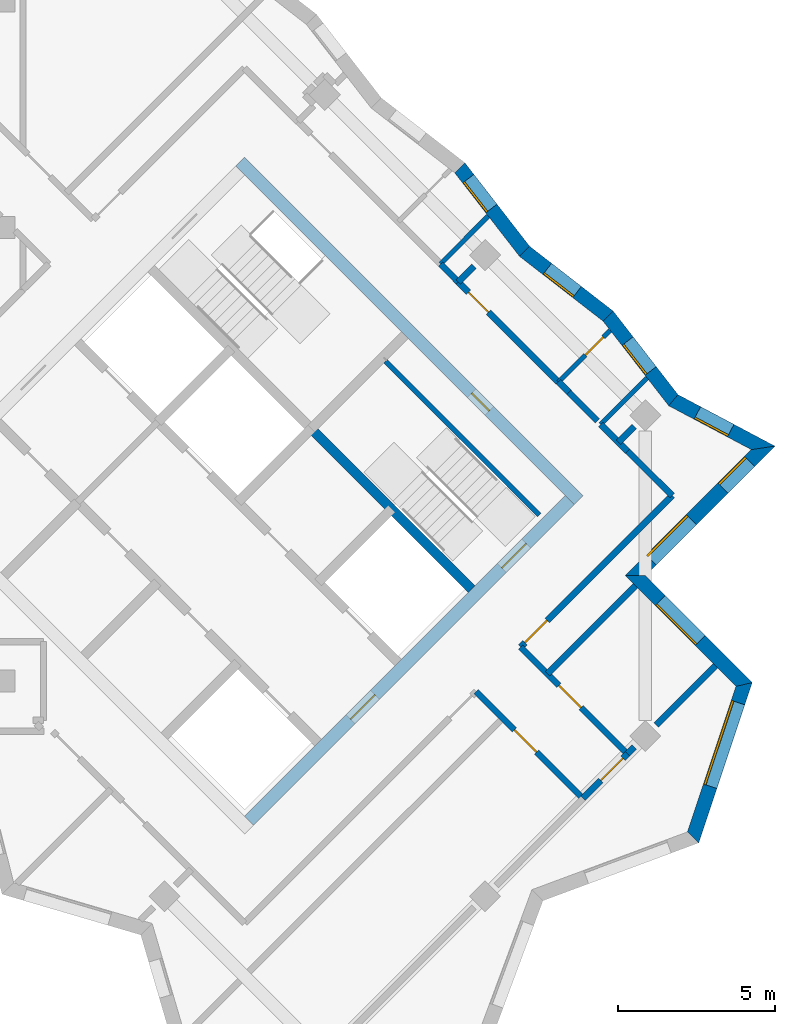
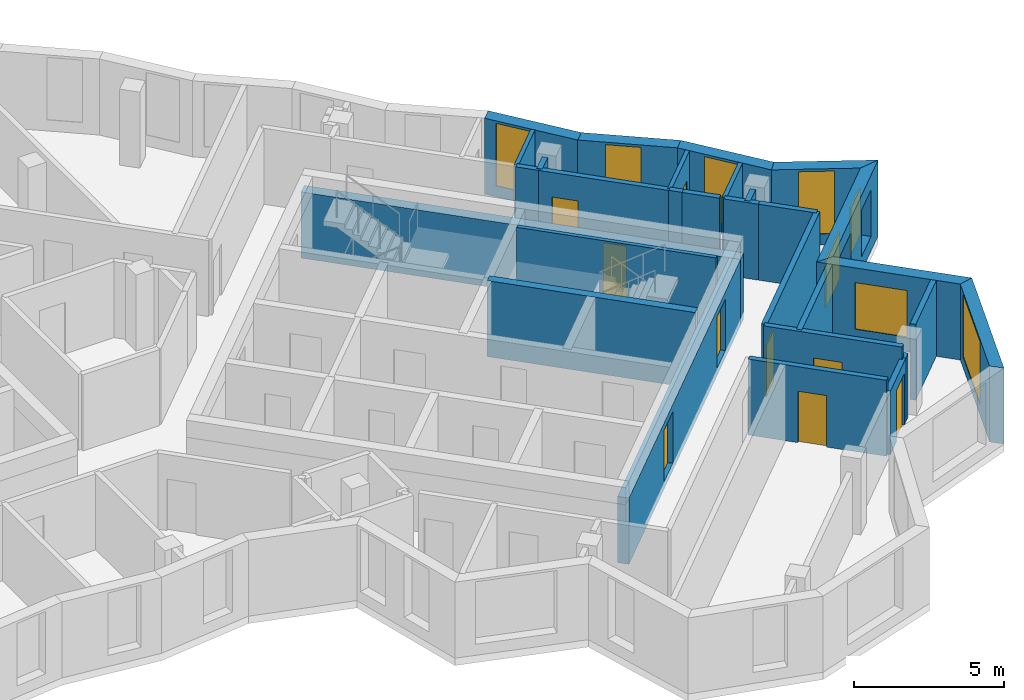
# One storey, part 7 of 12: 29 walls, 9 doors, 8 windows, 17 openings.
"""IFC4 building model written with IfcOpenShell, lengths in metres."""

from ifc_helpers import new_model, si_unit, direction, frame, frame_2d, origin, place, context, subcontext, project, spatial, polyline, rectangle, outline, extrude, material, layer, layer_set, type_object, element, fill, save


model = new_model("IFC4")

# Units and contexts
model_context = context("Model", 3, precision=1e-05, world=origin(), true_north=direction((0.0, 1.0)))
body_context = subcontext(model_context, "Body", "Model", "MODEL_VIEW")
ifc_project = project(units=[si_unit("LENGTHUNIT", "METRE"), si_unit("AREAUNIT", "SQUARE_METRE"), si_unit("VOLUMEUNIT", "CUBIC_METRE"), si_unit("PLANEANGLEUNIT", "RADIAN"), si_unit("MASSUNIT", "GRAM", prefix="KILO")], contexts=[model_context])

# Site, building, storey
site_placement = place(None, origin())
site = spatial("IfcSite", under=ifc_project, at=site_placement, CompositionType="ELEMENT")
building_placement = place(site_placement, origin())
building = spatial("IfcBuilding", under=site, at=building_placement, Name="Windrow Commons", CompositionType="ELEMENT")
storey_placement = place(building_placement, frame((0.0, 0.0, 257.4)))
storey = spatial("IfcBuildingStorey", under=building, at=storey_placement, Name="L70", CompositionType="ELEMENT", Elevation=257.4)

# Wall, opening, window
ifc_material_1 = material(Name="Brick masonry, red clay brick", Category="masonry")
ifc_layer_1 = layer(ifc_material_1, 0.45)
ifc_layer_set_1 = layer_set([ifc_layer_1], Name="Brick facade wall 450")
wall_type_1 = type_object("IfcWallType", Name="Brick facade wall 450", PredefinedType="SOLIDWALL", material=ifc_layer_set_1)
wall_1_placement = place(storey_placement, frame((101.0824, 38.2322, 0.0), z_axis=(0.0, 0.0, 1.0), x_axis=(0.316227766, 0.9486832981, 0.0)))
wall_1 = element("IfcWall", 1, at=wall_1_placement, inside=storey, type_object=wall_type_1, Name="Brick facade wall L70 4", PredefinedType="SOLIDWALL", context=body_context, shape_type="SweptSolid", body=[
    extrude(outline(polyline([(-0.1078, -0.225), (5.2588, -0.225), (4.9807, 0.225), (0.1078, 0.225), (-0.1078, -0.225)])), origin(), (0.0, 0.0, 1.0), 3.1),
])
opening_1_placement = place(wall_1_placement, frame((1.7112, 0.0, 0.45)))
opening_1 = element("IfcOpeningElement", 2, at=opening_1_placement, cuts=wall_1, Name="Opening W1V", PredefinedType="OPENING", context=body_context, shape_type="SweptSolid", body=[
    extrude(rectangle(XDim=2.8, YDim=2.55, at=frame_2d((1.4, 1.275))), frame((0.0, 0.235, 0.0), z_axis=(0.0, -1.0, 0.0), x_axis=(1.0, 0.0, 0.0)), (0.0, 0.0, 1.0), 0.47),
])
ifc_material_2 = material(Name="Clear float glass in anodised aluminium frame", Category="aluminium")
window_type_1 = type_object("IfcWindowType", Name="Window W1V bedroom 2800x2550", PartitioningType="SINGLE_PANEL", PredefinedType="WINDOW", material=ifc_material_2)
window_1_placement = place(opening_1_placement, origin())
window_1 = element("IfcWindow", 3, at=window_1_placement, inside=storey, type_object=window_type_1, Name="Window L70 4.1", OverallHeight=2.55, OverallWidth=2.8, PartitioningType="SINGLE_PANEL", PredefinedType="WINDOW", context=body_context, shape_type="SweptSolid", body=[
    extrude(rectangle(XDim=2.8, YDim=2.55, at=frame_2d((1.4, 1.275))), frame((0.0, 0.205, 0.0), z_axis=(0.0, -1.0, 0.0), x_axis=(1.0, 0.0, 0.0)), (0.0, 0.0, 1.0), 0.06),
])
fill(opening_1, window_1)

wall_2_placement = place(storey_placement, frame((102.7014, 43.0892, 0.0), z_axis=(0.0, 0.0, 1.0), x_axis=(-0.7070965479, 0.7071170144, 0.0)))
wall_2 = element("IfcWall", 4, at=wall_2_placement, inside=storey, type_object=wall_type_1, Name="Brick facade wall L70 5", PredefinedType="SOLIDWALL", context=body_context, shape_type="SweptSolid", body=[
    extrude(outline(polyline([(-0.1391, -0.225), (4.661, -0.225), (5.111, 0.225), (0.1391, 0.225), (-0.1391, -0.225)])), origin(), (0.0, 0.0, 1.0), 3.1),
])
opening_2_placement = place(wall_2_placement, frame((1.9735, 0.0, 0.6)))
opening_2 = element("IfcOpeningElement", 5, at=opening_2_placement, cuts=wall_2, Name="Opening W1L", PredefinedType="OPENING", context=body_context, shape_type="SweptSolid", body=[
    extrude(rectangle(XDim=1.8, YDim=1.9, at=frame_2d((0.9, 0.95))), frame((0.0, 0.235, 0.0), z_axis=(0.0, -1.0, 0.0), x_axis=(1.0, 0.0, 0.0)), (0.0, 0.0, 1.0), 0.47),
])
ifc_material_3 = material(Name="Clear float glass in anodised aluminium frame", Category="aluminium")
window_type_2 = type_object("IfcWindowType", Name="Window W1L bedroom 1800x1900", PartitioningType="SINGLE_PANEL", PredefinedType="WINDOW", material=ifc_material_3)
window_2_placement = place(opening_2_placement, origin())
window_2 = element("IfcWindow", 6, at=window_2_placement, inside=storey, type_object=window_type_2, Name="Window L70 5.1", OverallHeight=1.9, OverallWidth=1.8, PartitioningType="SINGLE_PANEL", PredefinedType="WINDOW", context=body_context, shape_type="SweptSolid", body=[
    extrude(rectangle(XDim=1.8, YDim=1.9, at=frame_2d((0.9, 0.95))), frame((0.0, 0.205, 0.0), z_axis=(0.0, -1.0, 0.0), x_axis=(1.0, 0.0, 0.0)), (0.0, 0.0, 1.0), 0.06),
])
fill(opening_2, window_2)

# Wall, openings, windows
wall_3_placement = place(storey_placement, frame((99.2465, 46.5442, 0.0), z_axis=(0.0, 0.0, 1.0), x_axis=(0.7071067812, 0.7071067812, 0.0)))
wall_3 = element("IfcWall", 7, at=wall_3_placement, inside=storey, type_object=wall_type_1, Name="Brick facade wall L70 6", PredefinedType="SOLIDWALL", context=body_context, shape_type="SweptSolid", body=[
    extrude(outline(polyline([(0.225, -0.225), (6.046, -0.225), (5.4374, 0.225), (-0.225, 0.225), (0.225, -0.225)])), origin(), (0.0, 0.0, 1.0), 3.1),
])
opening_3_placement = place(wall_3_placement, frame((0.7125, 0.0, 0.6)))
opening_3 = element("IfcOpeningElement", 8, at=opening_3_placement, cuts=wall_3, Name="Opening W1L", PredefinedType="OPENING", context=body_context, shape_type="SweptSolid", body=[
    extrude(rectangle(XDim=1.8, YDim=1.9, at=frame_2d((0.9, 0.95))), frame((0.0, 0.235, 0.0), z_axis=(0.0, -1.0, 0.0), x_axis=(1.0, 0.0, 0.0)), (0.0, 0.0, 1.0), 0.47),
])
opening_4_placement = place(wall_3_placement, frame((3.9312, 0.0, 0.6)))
opening_4 = element("IfcOpeningElement", 9, at=opening_4_placement, cuts=wall_3, Name="Opening W7G", PredefinedType="OPENING", context=body_context, shape_type="SweptSolid", body=[
    extrude(rectangle(XDim=1.2, YDim=1.9, at=frame_2d((0.6, 0.95))), frame((0.0, 0.235, 0.0), z_axis=(0.0, -1.0, 0.0), x_axis=(1.0, 0.0, 0.0)), (0.0, 0.0, 1.0), 0.47),
])
window_3_placement = place(opening_3_placement, origin())
window_3 = element("IfcWindow", 10, at=window_3_placement, inside=storey, type_object=window_type_2, Name="Window L70 6.1", OverallHeight=1.9, OverallWidth=1.8, PartitioningType="SINGLE_PANEL", PredefinedType="WINDOW", context=body_context, shape_type="SweptSolid", body=[
    extrude(rectangle(XDim=1.8, YDim=1.9, at=frame_2d((0.9, 0.95))), frame((0.0, 0.205, 0.0), z_axis=(0.0, -1.0, 0.0), x_axis=(1.0, 0.0, 0.0)), (0.0, 0.0, 1.0), 0.06),
])
fill(opening_3, window_3)
ifc_material_4 = material(Name="Clear float glass in anodised aluminium frame", Category="aluminium")
window_type_3 = type_object("IfcWindowType", Name="Window W7 notch 1200x1900", PartitioningType="SINGLE_PANEL", PredefinedType="WINDOW", material=ifc_material_4)
window_4_placement = place(opening_4_placement, origin())
window_4 = element("IfcWindow", 11, at=window_4_placement, inside=storey, type_object=window_type_3, Name="Window L70 6.2", OverallHeight=1.9, OverallWidth=1.2, PartitioningType="SINGLE_PANEL", PredefinedType="WINDOW", context=body_context, shape_type="SweptSolid", body=[
    extrude(rectangle(XDim=1.2, YDim=1.9, at=frame_2d((0.6, 0.95))), frame((0.0, 0.205, 0.0), z_axis=(0.0, -1.0, 0.0), x_axis=(1.0, 0.0, 0.0)), (0.0, 0.0, 1.0), 0.06),
])
fill(opening_4, window_4)

# Wall, opening, window
wall_4_placement = place(storey_placement, frame((103.3065, 50.6042, 0.0), z_axis=(0.0, 0.0, 1.0), x_axis=(-0.8832472045, 0.468907641, 0.0)))
wall_4 = element("IfcWall", 12, at=wall_4_placement, inside=storey, type_object=wall_type_1, Name="Brick facade wall L70 7", PredefinedType="SOLIDWALL", context=body_context, shape_type="SweptSolid", body=[
    extrude(outline(polyline([(-0.3043, -0.225), (3.1806, -0.225), (3.2773, 0.225), (0.3043, 0.225), (-0.3043, -0.225)])), origin(), (0.0, 0.0, 1.0), 3.1),
])
opening_5_placement = place(wall_4_placement, frame((1.1666, 0.0, 0.45)))
opening_5 = element("IfcOpeningElement", 13, at=opening_5_placement, cuts=wall_4, Name="Opening W7F", PredefinedType="OPENING", context=body_context, shape_type="SweptSolid", body=[
    extrude(rectangle(XDim=1.2, YDim=2.55, at=frame_2d((0.6, 1.275))), frame((0.0, 0.235, 0.0), z_axis=(0.0, -1.0, 0.0), x_axis=(1.0, 0.0, 0.0)), (0.0, 0.0, 1.0), 0.47),
])
ifc_material_5 = material(Name="Clear float glass in anodised aluminium frame", Category="aluminium")
window_type_4 = type_object("IfcWindowType", Name="Window W7 notch 1200x2550", PartitioningType="SINGLE_PANEL", PredefinedType="WINDOW", material=ifc_material_5)
window_5_placement = place(opening_5_placement, origin())
window_5 = element("IfcWindow", 14, at=window_5_placement, inside=storey, type_object=window_type_4, Name="Window L70 7.1", OverallHeight=2.55, OverallWidth=1.2, PartitioningType="SINGLE_PANEL", PredefinedType="WINDOW", context=body_context, shape_type="SweptSolid", body=[
    extrude(rectangle(XDim=1.2, YDim=2.55, at=frame_2d((0.6, 1.275))), frame((0.0, 0.205, 0.0), z_axis=(0.0, -1.0, 0.0), x_axis=(1.0, 0.0, 0.0)), (0.0, 0.0, 1.0), 0.06),
])
fill(opening_5, window_5)

wall_5_placement = place(storey_placement, frame((100.4545, 52.1183, 0.0), z_axis=(0.0, 0.0, 1.0), x_axis=(-0.6128744429, 0.7901803068, 0.0)))
wall_5 = element("IfcWall", 15, at=wall_5_placement, inside=storey, type_object=wall_type_1, Name="Brick facade wall L70 8", PredefinedType="SOLIDWALL", context=body_context, shape_type="SweptSolid", body=[
    extrude(outline(polyline([(0.0483, -0.225), (3.4068, -0.225), (3.3499, 0.225), (-0.0483, 0.225), (0.0483, -0.225)])), origin(), (0.0, 0.0, 1.0), 3.1),
])
opening_6_placement = place(wall_5_placement, frame((1.175, 0.0, 0.45)))
opening_6 = element("IfcOpeningElement", 16, at=opening_6_placement, cuts=wall_5, Name="Opening W7F", PredefinedType="OPENING", context=body_context, shape_type="SweptSolid", body=[
    extrude(rectangle(XDim=1.2, YDim=2.55, at=frame_2d((0.6, 1.275))), frame((0.0, 0.235, 0.0), z_axis=(0.0, -1.0, 0.0), x_axis=(1.0, 0.0, 0.0)), (0.0, 0.0, 1.0), 0.47),
])
window_6_placement = place(opening_6_placement, origin())
window_6 = element("IfcWindow", 17, at=window_6_placement, inside=storey, type_object=window_type_4, Name="Window L70 8.1", OverallHeight=2.55, OverallWidth=1.2, PartitioningType="SINGLE_PANEL", PredefinedType="WINDOW", context=body_context, shape_type="SweptSolid", body=[
    extrude(rectangle(XDim=1.2, YDim=2.55, at=frame_2d((0.6, 1.275))), frame((0.0, 0.205, 0.0), z_axis=(0.0, -1.0, 0.0), x_axis=(1.0, 0.0, 0.0)), (0.0, 0.0, 1.0), 0.06),
])
fill(opening_6, window_6)

wall_6_placement = place(storey_placement, frame((98.384, 54.7878, 0.0), z_axis=(0.0, 0.0, 1.0), x_axis=(-0.7901691849, 0.6128887822, 0.0)))
wall_6 = element("IfcWall", 18, at=wall_6_placement, inside=storey, type_object=wall_type_1, Name="Brick facade wall L70 9", PredefinedType="SOLIDWALL", context=body_context, shape_type="SweptSolid", body=[
    extrude(outline(polyline([(-0.0284, -0.225), (3.3301, -0.225), (3.3869, 0.225), (0.0284, 0.225), (-0.0284, -0.225)])), origin(), (0.0, 0.0, 1.0), 3.1),
])
opening_7_placement = place(wall_6_placement, frame((1.2494, 0.0, 0.45)))
opening_7 = element("IfcOpeningElement", 19, at=opening_7_placement, cuts=wall_6, Name="Opening W7F", PredefinedType="OPENING", context=body_context, shape_type="SweptSolid", body=[
    extrude(rectangle(XDim=1.2, YDim=2.55, at=frame_2d((0.6, 1.275))), frame((0.0, 0.235, 0.0), z_axis=(0.0, -1.0, 0.0), x_axis=(1.0, 0.0, 0.0)), (0.0, 0.0, 1.0), 0.47),
])
window_7_placement = place(opening_7_placement, origin())
window_7 = element("IfcWindow", 20, at=window_7_placement, inside=storey, type_object=window_type_4, Name="Window L70 9.1", OverallHeight=2.55, OverallWidth=1.2, PartitioningType="SINGLE_PANEL", PredefinedType="WINDOW", context=body_context, shape_type="SweptSolid", body=[
    extrude(rectangle(XDim=1.2, YDim=2.55, at=frame_2d((0.6, 1.275))), frame((0.0, 0.205, 0.0), z_axis=(0.0, -1.0, 0.0), x_axis=(1.0, 0.0, 0.0)), (0.0, 0.0, 1.0), 0.06),
])
fill(opening_7, window_7)

wall_7_placement = place(storey_placement, frame((95.7302, 56.8462, 0.0), z_axis=(0.0, 0.0, 1.0), x_axis=(-0.612903202, 0.790158, 0.0)))
wall_7 = element("IfcWall", 21, at=wall_7_placement, inside=storey, type_object=wall_type_1, Name="Brick facade wall L70 10", PredefinedType="SOLIDWALL", context=body_context, shape_type="SweptSolid", body=[
    extrude(outline(polyline([(0.0284, -0.225), (3.3869, -0.225), (3.3301, 0.225), (-0.0284, 0.225), (0.0284, -0.225)])), origin(), (0.0, 0.0, 1.0), 3.1),
])
opening_8_placement = place(wall_7_placement, frame((1.7202, 0.0, 0.45)))
opening_8 = element("IfcOpeningElement", 22, at=opening_8_placement, cuts=wall_7, Name="Opening W7F", PredefinedType="OPENING", context=body_context, shape_type="SweptSolid", body=[
    extrude(rectangle(XDim=1.2, YDim=2.55, at=frame_2d((0.6, 1.275))), frame((0.0, 0.235, 0.0), z_axis=(0.0, -1.0, 0.0), x_axis=(1.0, 0.0, 0.0)), (0.0, 0.0, 1.0), 0.47),
])
window_8_placement = place(opening_8_placement, origin())
window_8 = element("IfcWindow", 23, at=window_8_placement, inside=storey, type_object=window_type_4, Name="Window L70 10.1", OverallHeight=2.55, OverallWidth=1.2, PartitioningType="SINGLE_PANEL", PredefinedType="WINDOW", context=body_context, shape_type="SweptSolid", body=[
    extrude(rectangle(XDim=1.2, YDim=2.55, at=frame_2d((0.6, 1.275))), frame((0.0, 0.205, 0.0), z_axis=(0.0, -1.0, 0.0), x_axis=(1.0, 0.0, 0.0)), (0.0, 0.0, 1.0), 0.06),
])
fill(opening_8, window_8)

# Wall, opening, door
ifc_material_6 = material(Name="Blockwork partition", Category="masonry")
ifc_layer_2 = layer(ifc_material_6, 0.2)
ifc_layer_set_2 = layer_set([ifc_layer_2], Name="IW-CORRIDOR-200")
wall_type_2 = type_object("IfcWallType", Name="IW-CORRIDOR-200", PredefinedType="PARTITIONING", material=ifc_layer_set_2)
wall_8_placement = place(storey_placement, frame((95.6049, 44.2831, 0.0), z_axis=(0.0, 0.0, 1.0), x_axis=(0.7071067812, 0.7071067812, 0.0)))
wall_8 = element("IfcWall", 24, at=wall_8_placement, inside=storey, type_object=wall_type_2, Name="W-L70-W011", PredefinedType="PARTITIONING", context=body_context, shape_type="SweptSolid", body=[
    extrude(rectangle(XDim=6.7995, YDim=0.2, at=frame_2d((3.3998, 0.0))), origin(), (0.0, 0.0, 1.0), 3.1),
])
opening_9_placement = place(wall_8_placement, frame((0.1925, 0.0, 0.0)))
opening_9 = element("IfcOpeningElement", 25, at=opening_9_placement, cuts=wall_8, Name="Opening D310F", PredefinedType="OPENING", context=body_context, shape_type="SweptSolid", body=[
    extrude(rectangle(XDim=1.0, YDim=2.1, at=frame_2d((0.5, 1.05))), frame((0.0, 0.11, 0.0), z_axis=(0.0, -1.0, 0.0), x_axis=(1.0, 0.0, 0.0)), (0.0, 0.0, 1.0), 0.22),
])
ifc_material_7 = material(Name="Timber door leaf", Category="wood")
door_type_1 = type_object("IfcDoorType", Name="DT-AMENITY-1000", OperationType="SINGLE_SWING_LEFT", PredefinedType="DOOR", material=ifc_material_7)
door_1_placement = place(opening_9_placement, origin())
door_1 = element("IfcDoor", 26, at=door_1_placement, inside=storey, type_object=door_type_1, Name="D-L70-D019", OperationType="SINGLE_SWING_LEFT", OverallHeight=2.1, OverallWidth=1.0, PredefinedType="DOOR", context=body_context, shape_type="SweptSolid", body=[
    extrude(rectangle(XDim=1.0, YDim=2.1, at=frame_2d((0.5, 1.05))), frame((0.0, 0.025, 0.0), z_axis=(0.0, -1.0, 0.0), x_axis=(1.0, 0.0, 0.0)), (0.0, 0.0, 1.0), 0.05),
])
fill(opening_9, door_1)

wall_9_placement = place(storey_placement, frame((95.6029, 44.2769, 0.0), z_axis=(0.0, 0.0, 1.0), x_axis=(0.7071067812, -0.7071067812, 0.0)))
wall_9 = element("IfcWall", 27, at=wall_9_placement, inside=storey, type_object=wall_type_2, Name="W-L70-W020", PredefinedType="PARTITIONING", context=body_context, shape_type="SweptSolid", body=[
    extrude(rectangle(XDim=4.797, YDim=0.2, at=frame_2d((2.3985, 0.0))), origin(), (0.0, 0.0, 1.0), 3.1),
])
opening_10_placement = place(wall_9_placement, frame((1.7232, 0.0, 0.0)))
opening_10 = element("IfcOpeningElement", 28, at=opening_10_placement, cuts=wall_9, Name="Opening D310F", PredefinedType="OPENING", context=body_context, shape_type="SweptSolid", body=[
    extrude(rectangle(XDim=1.0, YDim=2.1, at=frame_2d((0.5, 1.05))), frame((0.0, 0.11, 0.0), z_axis=(0.0, -1.0, 0.0), x_axis=(1.0, 0.0, 0.0)), (0.0, 0.0, 1.0), 0.22),
])
door_2_placement = place(opening_10_placement, origin())
door_2 = element("IfcDoor", 29, at=door_2_placement, inside=storey, type_object=door_type_1, Name="D-L70-D029", OperationType="SINGLE_SWING_RIGHT", OverallHeight=2.1, OverallWidth=1.0, PredefinedType="DOOR", context=body_context, shape_type="SweptSolid", body=[
    extrude(rectangle(XDim=1.0, YDim=2.1, at=frame_2d((0.5, 1.05))), frame((0.0, 0.025, 0.0), z_axis=(0.0, -1.0, 0.0), x_axis=(1.0, 0.0, 0.0)), (0.0, 0.0, 1.0), 0.05),
])
fill(opening_10, door_2)

wall_10_placement = place(storey_placement, frame((94.1887, 42.8627, 0.0), z_axis=(0.0, 0.0, 1.0), x_axis=(0.7071067812, -0.7071067812, 0.0)))
wall_10 = element("IfcWall", 30, at=wall_10_placement, inside=storey, type_object=wall_type_2, Name="W-L70-W021", PredefinedType="PARTITIONING", context=body_context, shape_type="SweptSolid", body=[
    extrude(rectangle(XDim=4.797, YDim=0.2, at=frame_2d((2.3985, 0.0))), origin(), (0.0, 0.0, 1.0), 3.1),
])
opening_11_placement = place(wall_10_placement, frame((1.7232, 0.0, 0.0)))
opening_11 = element("IfcOpeningElement", 31, at=opening_11_placement, cuts=wall_10, Name="Opening D310F", PredefinedType="OPENING", context=body_context, shape_type="SweptSolid", body=[
    extrude(rectangle(XDim=1.0, YDim=2.1, at=frame_2d((0.5, 1.05))), frame((0.0, 0.11, 0.0), z_axis=(0.0, -1.0, 0.0), x_axis=(1.0, 0.0, 0.0)), (0.0, 0.0, 1.0), 0.22),
])
door_3_placement = place(opening_11_placement, origin())
door_3 = element("IfcDoor", 32, at=door_3_placement, inside=storey, type_object=door_type_1, Name="D-L70-D028", OperationType="SINGLE_SWING_LEFT", OverallHeight=2.1, OverallWidth=1.0, PredefinedType="DOOR", context=body_context, shape_type="SweptSolid", body=[
    extrude(rectangle(XDim=1.0, YDim=2.1, at=frame_2d((0.5, 1.05))), frame((0.0, 0.025, 0.0), z_axis=(0.0, -1.0, 0.0), x_axis=(1.0, 0.0, 0.0)), (0.0, 0.0, 1.0), 0.05),
])
fill(opening_11, door_3)

wall_11_placement = place(storey_placement, frame((93.6213, 55.8753, 0.0), z_axis=(0.0, 0.0, 1.0), x_axis=(0.7071067812, -0.7071067812, 0.0)))
wall_11 = element("IfcWall", 33, at=wall_11_placement, inside=storey, type_object=wall_type_2, Name="W-L70-W023", PredefinedType="PARTITIONING", context=body_context, shape_type="SweptSolid", body=[
    extrude(rectangle(XDim=4.5, YDim=0.2, at=frame_2d((2.25, 0.0))), origin(), (0.0, 0.0, 1.0), 3.1),
])
opening_12_placement = place(wall_11_placement, frame((0.4648, 0.0, 0.0)))
opening_12 = element("IfcOpeningElement", 34, at=opening_12_placement, cuts=wall_11, Name="Opening D109S", PredefinedType="OPENING", context=body_context, shape_type="SweptSolid", body=[
    extrude(rectangle(XDim=0.9, YDim=2.1, at=frame_2d((0.45, 1.05))), frame((0.0, 0.11, 0.0), z_axis=(0.0, -1.0, 0.0), x_axis=(1.0, 0.0, 0.0)), (0.0, 0.0, 1.0), 0.22),
])
ifc_material_8 = material(Name="Timber door leaf", Category="wood")
door_type_2 = type_object("IfcDoorType", Name="DT-BEDROOM-900", OperationType="SINGLE_SWING_LEFT", PredefinedType="DOOR", material=ifc_material_8)
door_4_placement = place(opening_12_placement, origin())
door_4 = element("IfcDoor", 35, at=door_4_placement, inside=storey, type_object=door_type_2, Name="D-L70-D023", OperationType="SINGLE_SWING_LEFT", OverallHeight=2.1, OverallWidth=0.9, PredefinedType="DOOR", context=body_context, shape_type="SweptSolid", body=[
    extrude(rectangle(XDim=0.9, YDim=2.1, at=frame_2d((0.45, 1.05))), frame((0.0, 0.025, 0.0), z_axis=(0.0, -1.0, 0.0), x_axis=(1.0, 0.0, 0.0)), (0.0, 0.0, 1.0), 0.05),
])
fill(opening_12, door_4)

# Wall
wall_12_placement = place(storey_placement, frame((98.9983, 50.5043, 0.0), z_axis=(0.0, 0.0, 1.0), x_axis=(0.7076063266, -0.7066068826, 0.0)))
element("IfcWall", 36, at=wall_12_placement, inside=storey, type_object=wall_type_2, Name="W-L70-W065", PredefinedType="PARTITIONING", context=body_context, shape_type="SweptSolid", body=[
    extrude(rectangle(XDim=2.0011, YDim=0.2, at=frame_2d((1.0006, 0.0))), origin(), (0.0, 0.0, 1.0), 3.1),
])

# Wall, opening, door
wall_13_placement = place(storey_placement, frame((97.584, 39.474, 0.0), z_axis=(0.0, 0.0, 1.0), x_axis=(0.7071067812, 0.7071067812, 0.0)))
wall_13 = element("IfcWall", 37, at=wall_13_placement, inside=storey, type_object=wall_type_2, Name="W-L70-W066", PredefinedType="PARTITIONING", context=body_context, shape_type="SweptSolid", body=[
    extrude(rectangle(XDim=1.9997, YDim=0.2, at=frame_2d((0.9999, 0.0))), origin(), (0.0, 0.0, 1.0), 2.6),
])
opening_13_placement = place(wall_13_placement, frame((0.8028, 0.0, 0.0)))
opening_13 = element("IfcOpeningElement", 38, at=opening_13_placement, cuts=wall_13, Name="Opening D310F", PredefinedType="OPENING", context=body_context, shape_type="SweptSolid", body=[
    extrude(rectangle(XDim=1.0, YDim=2.1, at=frame_2d((0.5, 1.05))), frame((0.0, 0.11, 0.0), z_axis=(0.0, -1.0, 0.0), x_axis=(1.0, 0.0, 0.0)), (0.0, 0.0, 1.0), 0.22),
])
door_5_placement = place(opening_13_placement, origin())
door_5 = element("IfcDoor", 39, at=door_5_placement, inside=storey, type_object=door_type_1, Name="D-L70-D030", OperationType="SINGLE_SWING_RIGHT", OverallHeight=2.1, OverallWidth=1.0, PredefinedType="DOOR", context=body_context, shape_type="SweptSolid", body=[
    extrude(rectangle(XDim=1.0, YDim=2.1, at=frame_2d((0.5, 1.05))), frame((0.0, 0.025, 0.0), z_axis=(0.0, -1.0, 0.0), x_axis=(1.0, 0.0, 0.0)), (0.0, 0.0, 1.0), 0.05),
])
fill(opening_13, door_5)

# Walls
wall_14_placement = place(storey_placement, frame((97.134, 52.37, 0.0), z_axis=(0.0, 0.0, 1.0), x_axis=(0.7063301682, -0.7078825422, 0.0)))
element("IfcWall", 40, at=wall_14_placement, inside=storey, type_object=wall_type_2, Name="W-L70-W074", PredefinedType="PARTITIONING", context=body_context, shape_type="SweptSolid", body=[
    extrude(rectangle(XDim=1.2883, YDim=0.2, at=frame_2d((0.6442, 0.0))), origin(), (0.0, 0.0, 1.0), 3.1),
])
wall_15_placement = place(storey_placement, frame((98.1473, 51.3493, 0.0), z_axis=(0.0, 0.0, 1.0), x_axis=(0.7071067812, -0.7071067812, 0.0)))
element("IfcWall", 41, at=wall_15_placement, inside=storey, type_object=wall_type_2, Name="W-L70-W075", PredefinedType="PARTITIONING", context=body_context, shape_type="SweptSolid", body=[
    extrude(rectangle(XDim=1.1993, YDim=0.2, at=frame_2d((0.5997, 0.0))), origin(), (0.0, 0.0, 1.0), 3.1),
])
wall_16_placement = place(storey_placement, frame((93.0593, 56.4433, 0.0), z_axis=(0.0, 0.0, 1.0), x_axis=(0.7058541592, -0.7083571881, 0.0)))
element("IfcWall", 42, at=wall_16_placement, inside=storey, type_object=wall_type_2, Name="W-L70-W079", PredefinedType="PARTITIONING", context=body_context, shape_type="SweptSolid", body=[
    extrude(rectangle(XDim=0.799, YDim=0.2, at=frame_2d((0.3995, 0.0))), origin(), (0.0, 0.0, 1.0), 3.1),
])
wall_17_placement = place(storey_placement, frame((96.8074, 52.6974, 0.0), z_axis=(0.0, 0.0, 1.0), x_axis=(0.7092658707, -0.7049410788, 0.0)))
element("IfcWall", 43, at=wall_17_placement, inside=storey, type_object=wall_type_2, Name="W-L70-W094", PredefinedType="PARTITIONING", context=body_context, shape_type="SweptSolid", body=[
    extrude(rectangle(XDim=0.4624, YDim=0.2, at=frame_2d((0.2312, 0.0))), origin(), (0.0, 0.0, 1.0), 3.1),
])

# Wall, opening, door
ifc_material_9 = material(Name="Blockwork partition", Category="masonry")
ifc_layer_3 = layer(ifc_material_9, 0.15)
ifc_layer_set_3 = layer_set([ifc_layer_3], Name="IW-ENSUITE-150")
wall_type_3 = type_object("IfcWallType", Name="IW-ENSUITE-150", PredefinedType="PARTITIONING", material=ifc_layer_set_3)
wall_18_placement = place(storey_placement, frame((96.8057, 52.6963, 0.0), z_axis=(0.0, 0.0, 1.0), x_axis=(0.7071067812, 0.7071067812, 0.0)))
wall_18 = element("IfcWall", 44, at=wall_18_placement, inside=storey, type_object=wall_type_3, Name="W-L70-W057", PredefinedType="PARTITIONING", context=body_context, shape_type="SweptSolid", body=[
    extrude(rectangle(XDim=2.3223, YDim=0.15, at=frame_2d((1.1611, 0.0))), origin(), (0.0, 0.0, 1.0), 3.1),
])
opening_14_placement = place(wall_18_placement, frame((1.2118, 0.0, 0.0)))
opening_14 = element("IfcOpeningElement", 45, at=opening_14_placement, cuts=wall_18, Name="Opening D208N", PredefinedType="OPENING", context=body_context, shape_type="SweptSolid", body=[
    extrude(rectangle(XDim=0.8, YDim=2.1, at=frame_2d((0.4, 1.05))), frame((0.0, 0.085, 0.0), z_axis=(0.0, -1.0, 0.0), x_axis=(1.0, 0.0, 0.0)), (0.0, 0.0, 1.0), 0.17),
])
ifc_material_10 = material(Name="Timber door leaf", Category="wood")
door_type_3 = type_object("IfcDoorType", Name="DT-ENSUITE-800", OperationType="SINGLE_SWING_LEFT", PredefinedType="DOOR", material=ifc_material_10)
door_6_placement = place(opening_14_placement, origin())
door_6 = element("IfcDoor", 46, at=door_6_placement, inside=storey, type_object=door_type_3, Name="D-L70-D024", OperationType="SINGLE_SWING_RIGHT", OverallHeight=2.1, OverallWidth=0.8, PredefinedType="DOOR", context=body_context, shape_type="SweptSolid", body=[
    extrude(rectangle(XDim=0.8, YDim=2.1, at=frame_2d((0.4, 1.05))), frame((0.0, 0.025, 0.0), z_axis=(0.0, -1.0, 0.0), x_axis=(1.0, 0.0, 0.0)), (0.0, 0.0, 1.0), 0.05),
])
fill(opening_14, door_6)

# Walls
wall_19_placement = place(storey_placement, frame((93.0574, 56.4466, 0.0), z_axis=(0.0, 0.0, 1.0), x_axis=(0.7066180059, 0.7075952188, 0.0)))
element("IfcWall", 47, at=wall_19_placement, inside=storey, type_object=wall_type_3, Name="W-L70-W060", PredefinedType="PARTITIONING", context=body_context, shape_type="SweptSolid", body=[
    extrude(rectangle(XDim=2.149, YDim=0.15, at=frame_2d((1.0745, 0.0))), origin(), (0.0, 0.0, 1.0), 3.1),
])
wall_20_placement = place(storey_placement, frame((98.1492, 51.3528, 0.0), z_axis=(0.0, 0.0, 1.0), x_axis=(0.7070827679, 0.7071307936, 0.0)))
element("IfcWall", 48, at=wall_20_placement, inside=storey, type_object=wall_type_3, Name="W-L70-W064", PredefinedType="PARTITIONING", context=body_context, shape_type="SweptSolid", body=[
    extrude(rectangle(XDim=2.0822, YDim=0.15, at=frame_2d((1.0411, 0.0))), origin(), (0.0, 0.0, 1.0), 3.1),
])
ifc_material_11 = material(Name="Blockwork partition", Category="masonry")
ifc_layer_4 = layer(ifc_material_11, 0.2)
ifc_layer_set_4 = layer_set([ifc_layer_4], Name="IW-PARTY-200")
wall_type_4 = type_object("IfcWallType", Name="IW-PARTY-200", PredefinedType="PARTITIONING", material=ifc_layer_set_4)
wall_21_placement = place(storey_placement, frame((96.4552, 43.4308, 0.0), z_axis=(0.0, 0.0, 1.0), x_axis=(0.7068409254, 0.707372537, 0.0)))
element("IfcWall", 49, at=wall_21_placement, inside=storey, type_object=wall_type_4, Name="W-L70-W033", PredefinedType="PARTITIONING", context=body_context, shape_type="SweptSolid", body=[
    extrude(rectangle(XDim=3.9503, YDim=0.2, at=frame_2d((1.9751, 0.0))), origin(), (0.0, 0.0, 1.0), 3.1),
])
wall_22_placement = place(storey_placement, frame((99.9105, 41.8075, 0.0), z_axis=(0.0, 0.0, 1.0), x_axis=(0.7075021757, 0.7067111654, 0.0)))
element("IfcWall", 50, at=wall_22_placement, inside=storey, type_object=wall_type_4, Name="W-L70-W045", PredefinedType="PARTITIONING", context=body_context, shape_type="SweptSolid", body=[
    extrude(rectangle(XDim=2.6548, YDim=0.2, at=frame_2d((1.3274, 0.0))), origin(), (0.0, 0.0, 1.0), 3.1),
])
for number, where, z_axis, x_axis, name in (
    (51, (93.625, 55.877, 0.0), (0.0, 0.0, 1.0), (0.7085224061, 0.7056883165, 0.0), "W-L70-W081"),
    (52, (98.7136, 50.7884, 0.0), (0.0, 0.0, 1.0), (0.7056883165, 0.7085224061, 0.0), "W-L70-W082"),
):
    element("IfcWall", number, at=place(storey_placement, frame(where, z_axis=z_axis, x_axis=x_axis)), inside=storey, type_object=wall_type_4, Name=name, PredefinedType="PARTITIONING", context=body_context, shape_type="SweptSolid", body=[
        extrude(rectangle(XDim=0.7057, YDim=0.2, at=frame_2d((0.3528, 0.0))), origin(), (0.0, 0.0, 1.0), 3.1),
    ])
wall_23_placement = place(storey_placement, frame((98.998, 40.888, 0.0), z_axis=(0.0, 0.0, 1.0), x_axis=(0.7071067812, 0.7071067812, 0.0)))
element("IfcWall", 53, at=wall_23_placement, inside=storey, type_object=wall_type_4, Name="W-L70-W104", PredefinedType="PARTITIONING", context=body_context, shape_type="SweptSolid", body=[
    extrude(rectangle(XDim=0.3055, YDim=0.2, at=frame_2d((0.1527, 0.0))), origin(), (0.0, 0.0, 1.0), 2.6),
])

# Wall, opening, door
ifc_material_12 = material(Name="Concrete C40/50", Category="concrete")
ifc_layer_5 = layer(ifc_material_12, 0.4)
ifc_layer_set_5 = layer_set([ifc_layer_5], Name="RC CORE WALL 400 C40/50")
wall_type_5 = type_object("IfcWallType", Name="RC CORE WALL 400 C40/50", PredefinedType="SHEAR", material=ifc_layer_set_5)
wall_24_placement = place(storey_placement, frame((86.6953, 59.6963, -0.3), z_axis=(0.0, 0.0, 1.0), x_axis=(0.7071100706, -0.7071034917, 0.0)))
wall_24 = element("IfcWall", 54, at=wall_24_placement, inside=storey, type_object=wall_type_5, Name="Core B wall outer-N", PredefinedType="SHEAR", context=body_context, shape_type="SweptSolid", body=[
    extrude(rectangle(XDim=15.2, YDim=0.4, at=frame_2d((7.6, 0.0))), origin(), (0.0, 0.0, 1.0), 2.7),
])
opening_15_placement = place(wall_24_placement, frame((10.4, 0.0, 0.3)))
opening_15 = element("IfcOpeningElement", 55, at=opening_15_placement, cuts=wall_24, Name="Opening D9", PredefinedType="OPENING", context=body_context, shape_type="SweptSolid", body=[
    extrude(rectangle(XDim=0.8, YDim=2.1, at=frame_2d((0.4, 1.05))), frame((0.0, 0.21, 0.0), z_axis=(0.0, -1.0, 0.0), x_axis=(1.0, 0.0, 0.0)), (0.0, 0.0, 1.0), 0.42),
])
ifc_material_13 = material(Name="Steel fire door leaf", Category="steel")
door_type_4 = type_object("IfcDoorType", Name="Riser access door 800", OperationType="SINGLE_SWING_LEFT", PredefinedType="DOOR", material=ifc_material_13)
door_7_placement = place(opening_15_placement, origin())
door_7 = element("IfcDoor", 56, at=door_7_placement, inside=storey, type_object=door_type_4, Name="Riser access door", OperationType="SINGLE_SWING_RIGHT", OverallHeight=2.1, OverallWidth=0.8, PredefinedType="DOOR", context=body_context, shape_type="SweptSolid", body=[
    extrude(rectangle(XDim=0.8, YDim=2.1, at=frame_2d((0.4, 1.05))), frame((0.0, 0.025, 0.0), z_axis=(0.0, -1.0, 0.0), x_axis=(1.0, 0.0, 0.0)), (0.0, 0.0, 1.0), 0.05),
])
fill(opening_15, door_7)

# Wall, openings, doors
wall_25_placement = place(storey_placement, frame((86.9782, 38.766, -0.3), z_axis=(0.0, 0.0, 1.0), x_axis=(0.7071067812, 0.7071067812, 0.0)))
wall_25 = element("IfcWall", 57, at=wall_25_placement, inside=storey, type_object=wall_type_5, Name="Core B wall outer-E", PredefinedType="SHEAR", context=body_context, shape_type="SweptSolid", body=[
    extrude(rectangle(XDim=14.3999, YDim=0.4, at=frame_2d((7.2, 0.0))), origin(), (0.0, 0.0, 1.0), 2.7),
])
opening_16_placement = place(wall_25_placement, frame((4.55, 0.0, 0.3)))
opening_16 = element("IfcOpeningElement", 58, at=opening_16_placement, cuts=wall_25, Name="Opening D6", PredefinedType="OPENING", context=body_context, shape_type="SweptSolid", body=[
    extrude(rectangle(XDim=1.1, YDim=2.1, at=frame_2d((0.55, 1.05))), frame((0.0, 0.21, 0.0), z_axis=(0.0, -1.0, 0.0), x_axis=(1.0, 0.0, 0.0)), (0.0, 0.0, 1.0), 0.42),
])
opening_17_placement = place(wall_25_placement, frame((11.35, 0.0, 0.3)))
opening_17 = element("IfcOpeningElement", 59, at=opening_17_placement, cuts=wall_25, Name="Opening D7", PredefinedType="OPENING", context=body_context, shape_type="SweptSolid", body=[
    extrude(rectangle(XDim=1.1, YDim=2.1, at=frame_2d((0.55, 1.05))), frame((0.0, 0.21, 0.0), z_axis=(0.0, -1.0, 0.0), x_axis=(1.0, 0.0, 0.0)), (0.0, 0.0, 1.0), 0.42),
])
ifc_material_14 = material(Name="Steel fire door leaf", Category="steel")
door_type_5 = type_object("IfcDoorType", Name="Core lobby door 1100", OperationType="SINGLE_SWING_LEFT", PredefinedType="DOOR", material=ifc_material_14)
door_8_placement = place(opening_16_placement, origin())
door_8 = element("IfcDoor", 60, at=door_8_placement, inside=storey, type_object=door_type_5, Name="Lift lobby door", OperationType="DOUBLE_DOOR_SINGLE_SWING", OverallHeight=2.1, OverallWidth=1.1, PredefinedType="DOOR", context=body_context, shape_type="SweptSolid", body=[
    extrude(rectangle(XDim=1.1, YDim=2.1, at=frame_2d((0.55, 1.05))), frame((0.0, 0.025, 0.0), z_axis=(0.0, -1.0, 0.0), x_axis=(1.0, 0.0, 0.0)), (0.0, 0.0, 1.0), 0.05),
])
fill(opening_16, door_8)
ifc_material_15 = material(Name="Steel fire door leaf", Category="steel")
door_type_6 = type_object("IfcDoorType", Name="Stair door 1100", OperationType="SINGLE_SWING_LEFT", PredefinedType="DOOR", material=ifc_material_15)
door_9_placement = place(opening_17_placement, origin())
door_9 = element("IfcDoor", 61, at=door_9_placement, inside=storey, type_object=door_type_6, Name="Stair door", OperationType="SINGLE_SWING_RIGHT", OverallHeight=2.1, OverallWidth=1.1, PredefinedType="DOOR", context=body_context, shape_type="SweptSolid", body=[
    extrude(rectangle(XDim=1.1, YDim=2.1, at=frame_2d((0.55, 1.05))), frame((0.0, 0.025, 0.0), z_axis=(0.0, -1.0, 0.0), x_axis=(1.0, 0.0, 0.0)), (0.0, 0.0, 1.0), 0.05),
])
fill(opening_17, door_9)

# Walls
ifc_material_16 = material(Name="Concrete C40/50", Category="concrete")
ifc_layer_6 = layer(ifc_material_16, 0.3)
ifc_layer_set_6 = layer_set([ifc_layer_6], Name="RC SHAFT WALL 300 C40/50")
wall_type_6 = type_object("IfcWallType", Name="RC SHAFT WALL 300 C40/50", PredefinedType="SOLIDWALL", material=ifc_layer_set_6)
wall_26_placement = place(storey_placement, frame((88.9581, 51.2111, 0.0), z_axis=(0.0, 0.0, 1.0), x_axis=(0.7070998367, -0.7071137256, 0.0)))
element("IfcWall", 62, at=wall_26_placement, inside=storey, type_object=wall_type_6, Name="Core B wall stair-S2", PredefinedType="SOLIDWALL", context=body_context, shape_type="SweptSolid", body=[
    extrude(rectangle(XDim=7.2, YDim=0.3, at=frame_2d((3.6, 0.0))), origin(), (0.0, 0.0, 1.0), 3.1),
])
ifc_material_17 = material(Name="Blockwork partition", Category="masonry")
ifc_layer_7 = layer(ifc_material_17, 0.15)
ifc_layer_set_7 = layer_set([ifc_layer_7], Name="Riser partition 150")
wall_type_7 = type_object("IfcWallType", Name="Riser partition 150", PredefinedType="PARTITIONING", material=ifc_layer_set_7)
wall_27_placement = place(storey_placement, frame((91.3127, 53.3536, 0.0), z_axis=(0.0, 0.0, 1.0), x_axis=(0.7071140275, -0.7070995348, 0.0)))
element("IfcWall", 63, at=wall_27_placement, inside=storey, type_object=wall_type_7, Name="W-core-strip-B-L70", PredefinedType="PARTITIONING", context=body_context, shape_type="SweptSolid", body=[
    extrude(rectangle(XDim=6.9, YDim=0.15, at=frame_2d((3.45, 0.0))), origin(), (0.0, 0.0, 1.0), 3.1),
])

save(model, "model.ifc")
